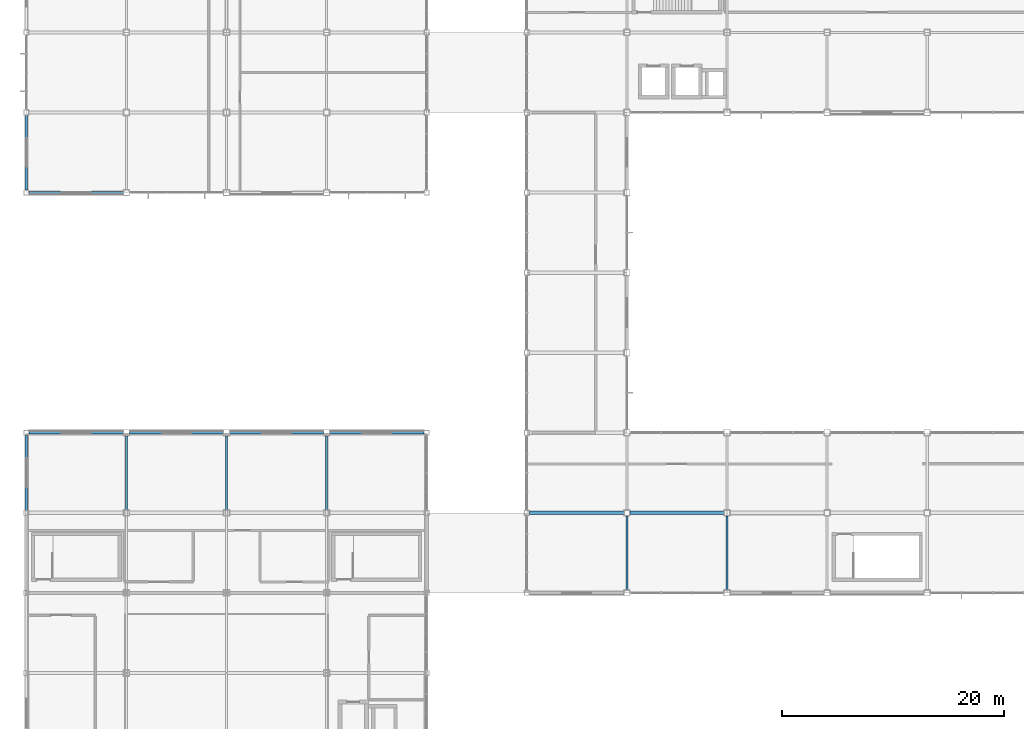
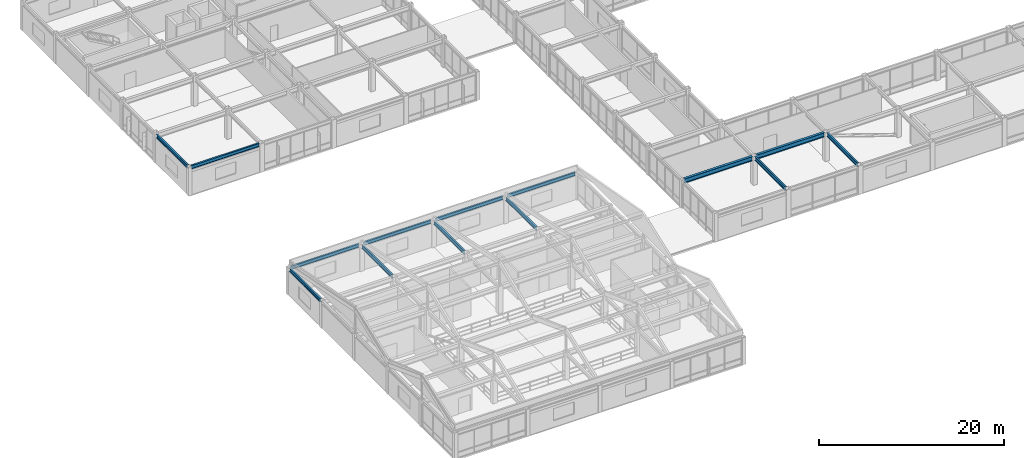
# One storey, part 27 of 113: 14 beams.
"""IFC4 building model written with IfcOpenShell, lengths in metres."""

from ifc_helpers import new_model, si_unit, direction, frame, origin, origin_2d, place, context, subcontext, project, spatial, i_section, extrude, material, material_profile, profile_set, type_object, element, save


model = new_model("IFC4")

# Units and contexts
model_context = context("Model", 3, precision=1e-05, world=origin(), true_north=direction((0.0, 1.0)))
body_context = subcontext(model_context, "Body", "Model", "MODEL_VIEW")
ifc_project = project(units=[si_unit("LENGTHUNIT", "METRE"), si_unit("AREAUNIT", "SQUARE_METRE"), si_unit("VOLUMEUNIT", "CUBIC_METRE"), si_unit("PLANEANGLEUNIT", "RADIAN"), si_unit("MASSUNIT", "GRAM", prefix="KILO")], contexts=[model_context])

# Site, building, storey
site_placement = place(None, origin())
site = spatial("IfcSite", under=ifc_project, at=site_placement, CompositionType="ELEMENT")
building_placement = place(site_placement, origin())
building = spatial("IfcBuilding", under=site, at=building_placement, Name="Kazanami Central Library", CompositionType="ELEMENT")
storey_placement = place(building_placement, frame((0.0, 0.0, 8.800048828125)))
storey = spatial("IfcBuildingStorey", under=building, at=storey_placement, Name="L03", CompositionType="ELEMENT", Elevation=8.800048828125)

# Beams
ifc_material = material(Name="Steel SN490B (325 MPa)", Category="steel")
ifc_material_profile_1 = material_profile(ifc_material, i_section(OverallWidth=0.300048828125, OverallDepth=0.587890625, WebThickness=0.011962890625, FlangeThickness=0.02001953125, at=origin_2d()), Name="H-588x300x12x20")
ifc_profile_set_1 = profile_set([ifc_material_profile_1], Name="Steel SN490B (325 MPa)")
beam_type_1 = type_object("IfcBeamType", Name="BM-G-X2", PredefinedType="BEAM", material=ifc_profile_set_1)
beam_1_placement = place(storey_placement, frame((45.222900390625, 28.800048828125, 3.48583984375), z_axis=(1.0, 0.0, 0.0), x_axis=(0.0, 1.0, 0.0)))
element("IfcBeam", 1, at=beam_1_placement, inside=storey, type_object=beam_type_1, Name="Girder G-X2 L03 E/6-7", PredefinedType="BEAM", context=body_context, shape_type="SweptSolid", body=[
    extrude(i_section(OverallWidth=0.300048828125, OverallDepth=0.587890625, WebThickness=0.011962890625, FlangeThickness=0.02001953125, at=origin_2d()), origin(), (0.0, 0.0, 1.0), 8.504150390625),
])
beam_2_placement = place(storey_placement, frame((54.27294921875, 28.800048828125, 3.48583984375), z_axis=(1.0, 0.0, 0.0), x_axis=(0.0, 1.0, 0.0)))
element("IfcBeam", 2, at=beam_2_placement, inside=storey, type_object=beam_type_1, Name="Girder G-X2 L03 E/7-8", PredefinedType="BEAM", context=body_context, shape_type="SweptSolid", body=[
    extrude(i_section(OverallWidth=0.300048828125, OverallDepth=0.587890625, WebThickness=0.011962890625, FlangeThickness=0.02001953125, at=origin_2d()), origin(), (0.0, 0.0, 1.0), 8.4541015625),
])
ifc_material_profile_2 = material_profile(ifc_material, i_section(OverallWidth=0.199951171875, OverallDepth=0.5, WebThickness=0.010009765625, FlangeThickness=0.01611328125, at=origin_2d()), Name="H-500x200x10x16")
ifc_profile_set_2 = profile_set([ifc_material_profile_2], Name="Steel SN490B (325 MPa)")
beam_type_2 = type_object("IfcBeamType", Name="BM-G-Y2", PredefinedType="BEAM", material=ifc_profile_set_2)
for number, where, z_axis, x_axis, name in (
    (3, (9.0, 29.072998046875, 3.329833984375), (0.0, 1.0, 0.0), (-1.0, 0.0, 0.0), "Girder G-Y2 L03 2/E-F"),
    (4, (18.0, 29.072998046875, 3.329833984375), (0.0, 1.0, 0.0), (-1.0, 0.0, 0.0), "Girder G-Y2 L03 3/E-F"),
    (5, (27.0, 29.072998046875, 3.329833984375), (0.0, 1.0, 0.0), (-1.0, 0.0, 0.0), "Girder G-Y2 L03 4/E-F"),
    (6, (54.0, 21.873046875, 3.530029296875), (0.0, 1.0, 0.0), (-1.0, 0.0, 0.0), "Girder G-Y2 L03 7/D-E"),
    (7, (63.0, 21.873046875, 3.530029296875), (0.0, 1.0, 0.0), (-1.0, 0.0, 0.0), "Girder G-Y2 L03 8/D-E"),
):
    element("IfcBeam", number, at=place(storey_placement, frame(where, z_axis=z_axis, x_axis=x_axis)), inside=storey, type_object=beam_type_2, Name=name, PredefinedType="BEAM", context=body_context, shape_type="SweptSolid", body=[
        extrude(i_section(OverallWidth=0.199951171875, OverallDepth=0.5, WebThickness=0.010009765625, FlangeThickness=0.01611328125, at=origin_2d()), origin(), (0.0, 0.0, 1.0), 6.654052734375),
    ])
ifc_material_profile_3 = material_profile(ifc_material, i_section(OverallWidth=0.199951171875, OverallDepth=0.449951171875, WebThickness=0.009033203125, FlangeThickness=0.013916015625, at=origin_2d()), Name="H-450x200x9x14")
ifc_profile_set_3 = profile_set([ifc_material_profile_3], Name="Steel SN490B (325 MPa)")
beam_type_3 = type_object("IfcBeamType", Name="BM-SP-2", PredefinedType="SPANDREL", material=ifc_profile_set_3)
beam_3_placement = place(storey_placement, frame((0.222900390625, 36.0, 3.35498046875), z_axis=(1.0, 0.0, 0.0), x_axis=(0.0, 1.0, 0.0)))
element("IfcBeam", 8, at=beam_3_placement, inside=storey, type_object=beam_type_3, Name="Girder SP-2 L03 F/1-2", PredefinedType="SPANDREL", context=body_context, shape_type="SweptSolid", body=[
    extrude(i_section(OverallWidth=0.199951171875, OverallDepth=0.449951171875, WebThickness=0.009033203125, FlangeThickness=0.013916015625, at=origin_2d()), origin(), (0.0, 0.0, 1.0), 8.504150390625),
])
for number, where, z_axis, x_axis, name in (
    (9, (9.27294921875, 36.0, 3.35498046875), (1.0, 0.0, 0.0), (0.0, 1.0, 0.0), "Girder SP-2 L03 F/2-3"),
    (10, (18.27294921875, 36.0, 3.35498046875), (1.0, 0.0, 0.0), (0.0, 1.0, 0.0), "Girder SP-2 L03 F/3-4"),
):
    element("IfcBeam", number, at=place(storey_placement, frame(where, z_axis=z_axis, x_axis=x_axis)), inside=storey, type_object=beam_type_3, Name=name, PredefinedType="SPANDREL", context=body_context, shape_type="SweptSolid", body=[
        extrude(i_section(OverallWidth=0.199951171875, OverallDepth=0.449951171875, WebThickness=0.009033203125, FlangeThickness=0.013916015625, at=origin_2d()), origin(), (0.0, 0.0, 1.0), 8.4541015625),
    ])
for number, where, z_axis, x_axis, name in (
    (11, (27.27294921875, 36.0, 3.35498046875), (1.0, 0.0, 0.0), (0.0, 1.0, 0.0), "Girder SP-2 L03 F/4-5"),
    (12, (0.222900390625, 57.60009765625, 3.554931640625), (1.0, 0.0, 0.0), (0.0, 1.0, 0.0), "Girder SP-2 L03 J/1-2"),
):
    element("IfcBeam", number, at=place(storey_placement, frame(where, z_axis=z_axis, x_axis=x_axis)), inside=storey, type_object=beam_type_3, Name=name, PredefinedType="SPANDREL", context=body_context, shape_type="SweptSolid", body=[
        extrude(i_section(OverallWidth=0.199951171875, OverallDepth=0.449951171875, WebThickness=0.009033203125, FlangeThickness=0.013916015625, at=origin_2d()), origin(), (0.0, 0.0, 1.0), 8.504150390625),
    ])
beam_4_placement = place(storey_placement, frame((0.0, 29.02294921875, 3.35498046875), z_axis=(0.0, 1.0, 0.0), x_axis=(-1.0, 0.0, 0.0)))
element("IfcBeam", 13, at=beam_4_placement, inside=storey, type_object=beam_type_3, Name="Girder SP-2 L03 1/E-F", PredefinedType="SPANDREL", context=body_context, shape_type="SweptSolid", body=[
    extrude(i_section(OverallWidth=0.199951171875, OverallDepth=0.449951171875, WebThickness=0.009033203125, FlangeThickness=0.013916015625, at=origin_2d()), origin(), (0.0, 0.0, 1.0), 6.754150390625),
])
beam_5_placement = place(storey_placement, frame((0.0, 57.822998046875, 3.554931640625), z_axis=(0.0, 1.0, 0.0), x_axis=(-1.0, 0.0, 0.0)))
element("IfcBeam", 14, at=beam_5_placement, inside=storey, type_object=beam_type_3, Name="Girder SP-2 L03 1/J-K", PredefinedType="SPANDREL", context=body_context, shape_type="SweptSolid", body=[
    extrude(i_section(OverallWidth=0.199951171875, OverallDepth=0.449951171875, WebThickness=0.009033203125, FlangeThickness=0.013916015625, at=origin_2d()), origin(), (0.0, 0.0, 1.0), 6.75390625),
])

save(model, "model.ifc")
